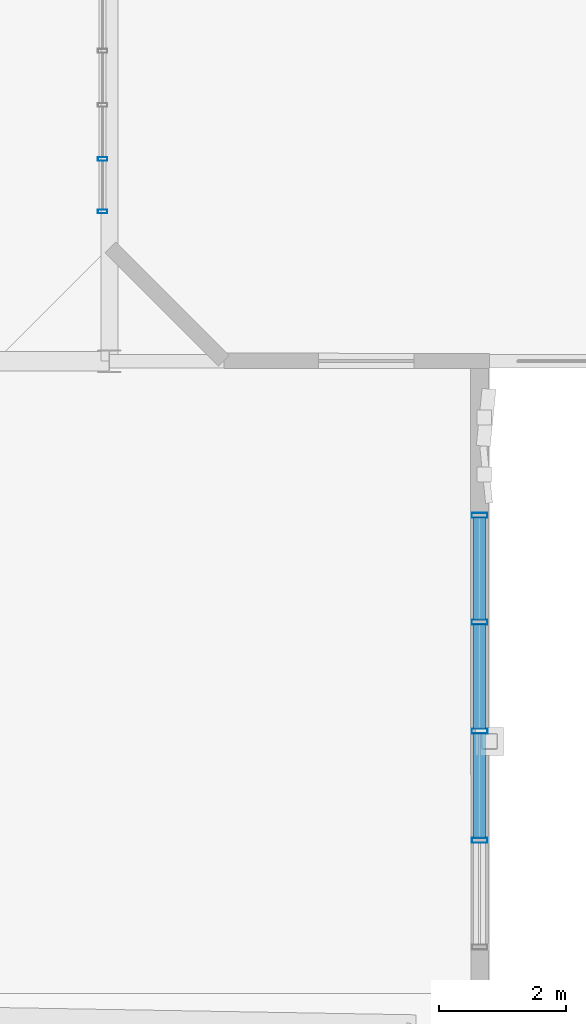
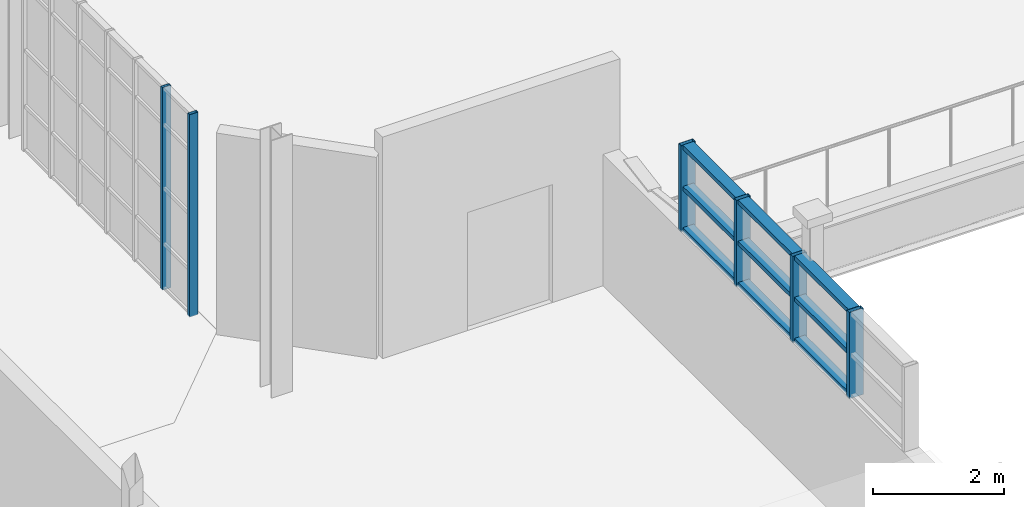
# One storey, part 37 of 85: 15 members, 2 elements without a shape of their own.
"""IFC4 building model written with IfcOpenShell, lengths in metres."""

from ifc_helpers import new_model, si_unit, direction, frame, origin, origin_2d, place, context, subcontext, project, spatial, hollow_rectangle, extrude, material, layer, layer_set, material_profile, profile_set, type_object, element, aggregate, save


model = new_model("IFC4")

# Units and contexts
model_context = context("Model", 3, precision=1e-05, world=origin(), true_north=direction((0.0, 1.0)))
body_context = subcontext(model_context, "Body", "Model", "MODEL_VIEW")
ifc_project = project(units=[si_unit("LENGTHUNIT", "METRE"), si_unit("AREAUNIT", "SQUARE_METRE"), si_unit("VOLUMEUNIT", "CUBIC_METRE"), si_unit("PLANEANGLEUNIT", "RADIAN"), si_unit("MASSUNIT", "GRAM", prefix="KILO"), si_unit("THERMODYNAMICTEMPERATUREUNIT", "KELVIN"), si_unit("POWERUNIT", "WATT")], contexts=[model_context])

# Site, building, storey
site_placement = place(None, origin())
site = spatial("IfcSite", under=ifc_project, at=site_placement, CompositionType="ELEMENT")
building_placement = place(site_placement, origin())
building = spatial("IfcBuilding", under=site, at=building_placement, Name="Zelmaris Science Centre", CompositionType="ELEMENT")
storey_placement = place(building_placement, frame((0.0, 0.0, 20.39990234375)))
storey = spatial("IfcBuildingStorey", under=building, at=storey_placement, Name="L04", CompositionType="ELEMENT", Elevation=20.39990234375)

# Curtain wall, members
ifc_material = material(Name="Anodised architectural aluminium 6063-T6", Category="aluminium")
ifc_layer_1 = layer(ifc_material, 0.219970703125, Name="Anodised architectural aluminium 6063-T6")
ifc_layer_set_1 = layer_set([ifc_layer_1], Name="Anodised architectural aluminium 6063-T6")
curtain_wall_type_1 = type_object("IfcCurtainWallType", Name="Curtain Wall CW-04", PredefinedType="USERDEFINED", material=ifc_layer_set_1)
curtain_wall_1_placement = place(storey_placement, origin())
curtain_wall_1 = element("IfcCurtainWall", 1, at=curtain_wall_1_placement, inside=storey, type_object=curtain_wall_type_1, Name="L04 Unitised curtain wall 348", ObjectType="GLAZED CURTAIN WALL", PredefinedType="USERDEFINED")
ifc_material_profile_1 = material_profile(ifc_material, hollow_rectangle(XDim=0.06005859375, YDim=0.14990234375, WallThickness=0.00341796875, at=origin_2d()), Name="ALU-MUL-60X150")
ifc_profile_set_1 = profile_set([ifc_material_profile_1], Name="Anodised architectural aluminium 6063-T6")
member_type_1 = type_object("IfcMemberType", Name="ALU-MUL-60X150", PredefinedType="MULLION", material=ifc_profile_set_1)
member_1_placement = place(storey_placement, frame((80.89453125, 67.1904296875, -0.014892578125), z_axis=(0.0, 0.0, 1.0), x_axis=(0.000771435453, -0.999999702444, 0.0)))
member_1 = element("IfcMember", 2, at=member_1_placement, type_object=member_type_1, Name="CW-04 mullion 6", PredefinedType="MULLION", context=body_context, shape_type="SweptSolid", body=[
    extrude(hollow_rectangle(XDim=0.06005859375, YDim=0.14990234375, WallThickness=0.00341796875, at=origin_2d()), origin(), (0.0, 0.0, 1.0), 3.77587890625),
])
member_2_placement = place(storey_placement, frame((80.895263671875, 66.3623046875, -0.014892578125), z_axis=(0.0, 0.0, 1.0), x_axis=(0.000771435453, -0.999999702444, 0.0)))
member_2 = element("IfcMember", 3, at=member_2_placement, type_object=member_type_1, Name="CW-04 mullion 7", PredefinedType="MULLION", context=body_context, shape_type="SweptSolid", body=[
    extrude(hollow_rectangle(XDim=0.06005859375, YDim=0.14990234375, WallThickness=0.00341796875, at=origin_2d()), origin(), (0.0, 0.0, 1.0), 3.77587890625),
])
aggregate(curtain_wall_1, [member_1, member_2])

ifc_layer_2 = layer(ifc_material, 0.18994140625, Name="Anodised architectural aluminium 6063-T6")
ifc_layer_set_2 = layer_set([ifc_layer_2], Name="Anodised architectural aluminium 6063-T6")
curtain_wall_type_2 = type_object("IfcCurtainWallType", Name="Curtain Wall CW-01", PredefinedType="USERDEFINED", material=ifc_layer_set_2)
curtain_wall_2_placement = place(storey_placement, origin())
curtain_wall_2 = element("IfcCurtainWall", 4, at=curtain_wall_2_placement, inside=storey, type_object=curtain_wall_type_2, Name="L04 Clerestory curtain wall 349", ObjectType="GLAZED CURTAIN WALL", PredefinedType="USERDEFINED")
ifc_material_profile_2 = material_profile(ifc_material, hollow_rectangle(XDim=0.080078125, YDim=0.25, WallThickness=0.0048828125, at=origin_2d()), Name="ALU-MUL-80X250")
ifc_profile_set_2 = profile_set([ifc_material_profile_2], Name="Anodised architectural aluminium 6063-T6")
member_type_2 = type_object("IfcMemberType", Name="ALU-MUL-80X250", PredefinedType="MULLION", material=ifc_profile_set_2)
member_3_placement = place(storey_placement, frame((86.84130859375, 61.56787109375, 2.420166015625), z_axis=(0.0, 0.0, 1.0), x_axis=(0.000586430595, -0.99999982805, 0.0)))
member_3 = element("IfcMember", 5, at=member_3_placement, type_object=member_type_2, Name="CW-01 mullion 1", PredefinedType="MULLION", context=body_context, shape_type="SweptSolid", body=[
    extrude(hollow_rectangle(XDim=0.080078125, YDim=0.25, WallThickness=0.0048828125, at=origin_2d()), origin(), (0.0, 0.0, 1.0), 1.60986328125),
])
member_4_placement = place(storey_placement, frame((86.84228515625, 59.882080078125, 2.420166015625), z_axis=(0.0, 0.0, 1.0), x_axis=(0.000586430595, -0.99999982805, 0.0)))
member_4 = element("IfcMember", 6, at=member_4_placement, type_object=member_type_2, Name="CW-01 mullion 2", PredefinedType="MULLION", context=body_context, shape_type="SweptSolid", body=[
    extrude(hollow_rectangle(XDim=0.080078125, YDim=0.25, WallThickness=0.0048828125, at=origin_2d()), origin(), (0.0, 0.0, 1.0), 1.60986328125),
])
member_5_placement = place(storey_placement, frame((86.84326171875, 58.16015625, 2.420166015625), z_axis=(0.0, 0.0, 1.0), x_axis=(0.000586430595, -0.99999982805, 0.0)))
member_5 = element("IfcMember", 7, at=member_5_placement, type_object=member_type_2, Name="CW-01 mullion 3", PredefinedType="MULLION", context=body_context, shape_type="SweptSolid", body=[
    extrude(hollow_rectangle(XDim=0.080078125, YDim=0.25, WallThickness=0.0048828125, at=origin_2d()), origin(), (0.0, 0.0, 1.0), 1.60986328125),
])
member_6_placement = place(storey_placement, frame((86.84423828125, 56.438232421875, 2.420166015625), z_axis=(0.0, 0.0, 1.0), x_axis=(0.000586430595, -0.99999982805, 0.0)))
member_6 = element("IfcMember", 8, at=member_6_placement, type_object=member_type_2, Name="CW-01 mullion 4", PredefinedType="MULLION", context=body_context, shape_type="SweptSolid", body=[
    extrude(hollow_rectangle(XDim=0.080078125, YDim=0.25, WallThickness=0.0048828125, at=origin_2d()), origin(), (0.0, 0.0, 1.0), 1.60986328125),
])
ifc_material_profile_3 = material_profile(ifc_material, hollow_rectangle(XDim=0.080078125, YDim=0.18994140625, WallThickness=0.00439453125, at=origin_2d()), Name="ALU-TRN-80X190")
ifc_profile_set_3 = profile_set([ifc_material_profile_3], Name="Anodised architectural aluminium 6063-T6")
member_type_3 = type_object("IfcMemberType", Name="ALU-TRN-80X190", PredefinedType="USERDEFINED", material=ifc_profile_set_3)
member_7_placement = place(storey_placement, frame((86.84130859375, 61.53173828125, 2.4560546875), z_axis=(0.000605143611, -0.999999816901, 0.0), x_axis=(0.0, 0.0, 1.0)))
member_7 = element("IfcMember", 9, at=member_7_placement, type_object=member_type_3, Name="CW-01 transom 1.1", ObjectType="TRANSOM", PredefinedType="USERDEFINED", context=body_context, shape_type="SweptSolid", body=[
    extrude(hollow_rectangle(XDim=0.080078125, YDim=0.18994140625, WallThickness=0.00439453125, at=origin_2d()), origin(), (0.0, 0.0, 1.0), 1.61376953125),
])
member_8_placement = place(storey_placement, frame((86.84130859375, 61.53173828125, 3.22509765625), z_axis=(0.000605143611, -0.999999816901, 0.0), x_axis=(0.0, 0.0, 1.0)))
member_8 = element("IfcMember", 10, at=member_8_placement, type_object=member_type_3, Name="CW-01 transom 1.2", ObjectType="TRANSOM", PredefinedType="USERDEFINED", context=body_context, shape_type="SweptSolid", body=[
    extrude(hollow_rectangle(XDim=0.080078125, YDim=0.18994140625, WallThickness=0.00439453125, at=origin_2d()), origin(), (0.0, 0.0, 1.0), 1.61376953125),
])
member_9_placement = place(storey_placement, frame((86.84130859375, 61.53173828125, 3.994140625), z_axis=(0.000605143611, -0.999999816901, 0.0), x_axis=(0.0, 0.0, 1.0)))
member_9 = element("IfcMember", 11, at=member_9_placement, type_object=member_type_3, Name="CW-01 transom 1.3", ObjectType="TRANSOM", PredefinedType="USERDEFINED", context=body_context, shape_type="SweptSolid", body=[
    extrude(hollow_rectangle(XDim=0.080078125, YDim=0.18994140625, WallThickness=0.00439453125, at=origin_2d()), origin(), (0.0, 0.0, 1.0), 1.61376953125),
])
member_10_placement = place(storey_placement, frame((86.84228515625, 59.845947265625, 2.4560546875), z_axis=(0.000591890988, -0.999999824833, 0.0), x_axis=(0.0, 0.0, 1.0)))
member_10 = element("IfcMember", 12, at=member_10_placement, type_object=member_type_3, Name="CW-01 transom 2.1", ObjectType="TRANSOM", PredefinedType="USERDEFINED", context=body_context, shape_type="SweptSolid", body=[
    extrude(hollow_rectangle(XDim=0.080078125, YDim=0.18994140625, WallThickness=0.00439453125, at=origin_2d()), origin(), (0.0, 0.0, 1.0), 1.64990234375),
])
member_11_placement = place(storey_placement, frame((86.84228515625, 59.845947265625, 3.22509765625), z_axis=(0.000591890988, -0.999999824833, 0.0), x_axis=(0.0, 0.0, 1.0)))
member_11 = element("IfcMember", 13, at=member_11_placement, type_object=member_type_3, Name="CW-01 transom 2.2", ObjectType="TRANSOM", PredefinedType="USERDEFINED", context=body_context, shape_type="SweptSolid", body=[
    extrude(hollow_rectangle(XDim=0.080078125, YDim=0.18994140625, WallThickness=0.00439453125, at=origin_2d()), origin(), (0.0, 0.0, 1.0), 1.64990234375),
])
member_12_placement = place(storey_placement, frame((86.84228515625, 59.845947265625, 3.994140625), z_axis=(0.000591890988, -0.999999824833, 0.0), x_axis=(0.0, 0.0, 1.0)))
member_12 = element("IfcMember", 14, at=member_12_placement, type_object=member_type_3, Name="CW-01 transom 2.3", ObjectType="TRANSOM", PredefinedType="USERDEFINED", context=body_context, shape_type="SweptSolid", body=[
    extrude(hollow_rectangle(XDim=0.080078125, YDim=0.18994140625, WallThickness=0.00439453125, at=origin_2d()), origin(), (0.0, 0.0, 1.0), 1.64990234375),
])
member_13_placement = place(storey_placement, frame((86.84326171875, 58.124267578125, 2.4560546875), z_axis=(0.000591890988, -0.999999824833, 0.0), x_axis=(0.0, 0.0, 1.0)))
member_13 = element("IfcMember", 15, at=member_13_placement, type_object=member_type_3, Name="CW-01 transom 3.1", ObjectType="TRANSOM", PredefinedType="USERDEFINED", context=body_context, shape_type="SweptSolid", body=[
    extrude(hollow_rectangle(XDim=0.080078125, YDim=0.18994140625, WallThickness=0.00439453125, at=origin_2d()), origin(), (0.0, 0.0, 1.0), 1.64990234375),
])
member_14_placement = place(storey_placement, frame((86.84326171875, 58.124267578125, 3.22509765625), z_axis=(0.000591890988, -0.999999824833, 0.0), x_axis=(0.0, 0.0, 1.0)))
member_14 = element("IfcMember", 16, at=member_14_placement, type_object=member_type_3, Name="CW-01 transom 3.2", ObjectType="TRANSOM", PredefinedType="USERDEFINED", context=body_context, shape_type="SweptSolid", body=[
    extrude(hollow_rectangle(XDim=0.080078125, YDim=0.18994140625, WallThickness=0.00439453125, at=origin_2d()), origin(), (0.0, 0.0, 1.0), 1.64990234375),
])
member_15_placement = place(storey_placement, frame((86.84326171875, 58.124267578125, 3.994140625), z_axis=(0.000591890988, -0.999999824833, 0.0), x_axis=(0.0, 0.0, 1.0)))
member_15 = element("IfcMember", 17, at=member_15_placement, type_object=member_type_3, Name="CW-01 transom 3.3", ObjectType="TRANSOM", PredefinedType="USERDEFINED", context=body_context, shape_type="SweptSolid", body=[
    extrude(hollow_rectangle(XDim=0.080078125, YDim=0.18994140625, WallThickness=0.00439453125, at=origin_2d()), origin(), (0.0, 0.0, 1.0), 1.64990234375),
])
aggregate(curtain_wall_2, [member_3, member_4, member_5, member_6, member_7, member_8, member_9, member_10, member_11, member_12, member_13, member_14, member_15])

save(model, "model.ifc")
